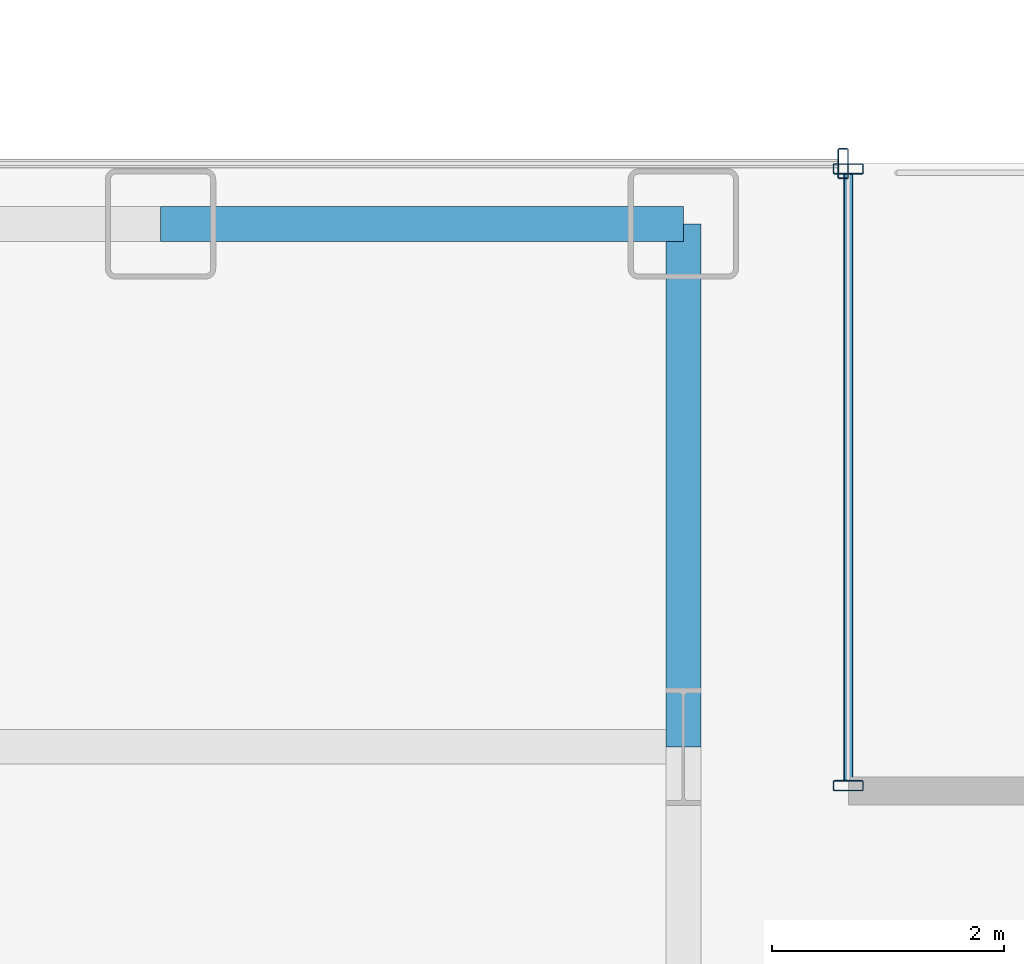
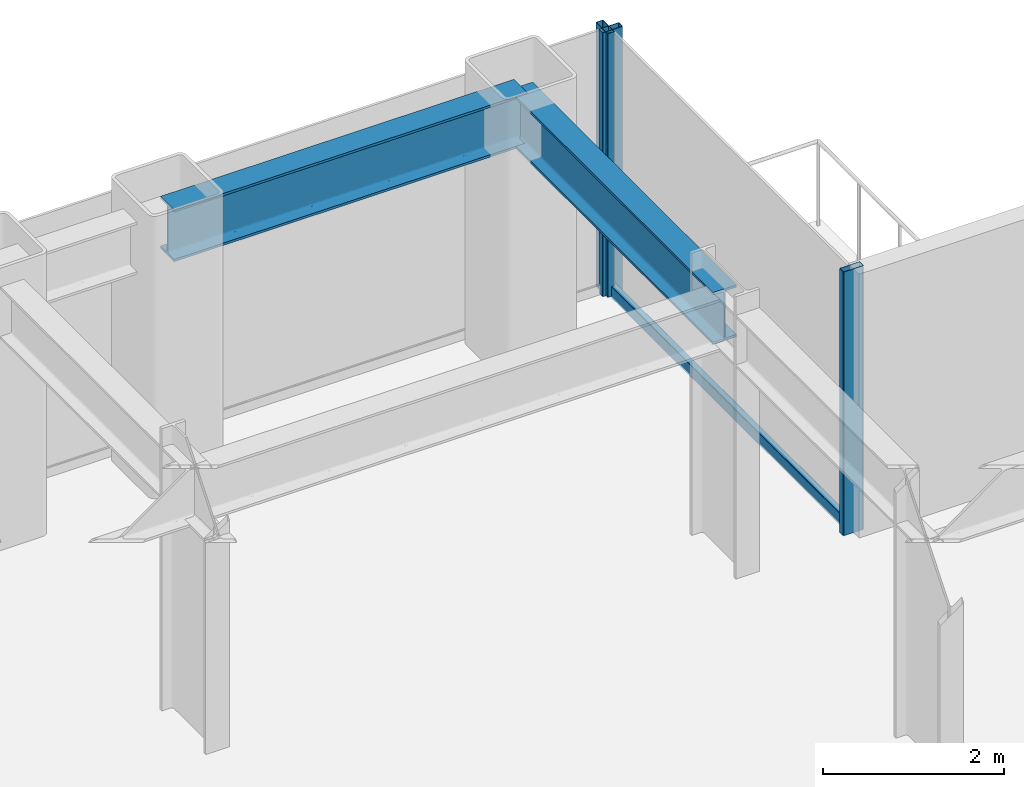
# One storey, part 14 of 26: 4 members, 2 beams, 2 elements without a shape of their own.
"""IFC4 building model written with IfcOpenShell, lengths in metres."""

import ifcopenshell
import ifcopenshell.guid

model = None  # the IFC model being written
_history = None  # IfcOwnerHistory: only IFC2X3 demands one
_inside = {}  # id of a spatial element -> (the spatial element, [elements in it])
_under = {}  # id of a project, library or spatial element -> (it, [spatial elements below it])
_declared = {}  # id of a project -> (the project, [libraries it declares])
_typed = {}  # id of a type object -> (the type object, [elements of that type])
_made_of = {}  # id of a material, layer set ... -> (it, [elements and type objects made of it])


def new_model(schema):
    """Start an empty IFC model of exactly this schema.

    Asked for "IFC4X3", IfcOpenShell would pick the latest addendum, in which some entities
    have other attributes; the version numbers below select the first issue.
    IFC2X3 requires an IfcOwnerHistory on every rooted entity: one is made here for all.
    """
    global model, _history
    if schema == "IFC4X3":
        model = ifcopenshell.file(schema_version=(4, 3, 0, 0))
    else:
        model = ifcopenshell.file(schema=schema)
    _inside.clear()
    _under.clear()
    _declared.clear()
    _typed.clear()
    _made_of.clear()
    _history = None
    if model.schema == "IFC2X3":
        org = make("IfcOrganization", Name="unknown")
        user = make(
            "IfcPersonAndOrganization",
            ThePerson=make("IfcPerson", FamilyName="unknown"),
            TheOrganization=org,
        )
        app = make(
            "IfcApplication",
            ApplicationDeveloper=org,
            Version="unknown",
            ApplicationFullName="unknown",
            ApplicationIdentifier="unknown",
        )
        _history = make(
            "IfcOwnerHistory",
            OwningUser=user,
            OwningApplication=app,
            ChangeAction="ADDED",
            CreationDate=0,
        )
    return model


def make(cls, **values):
    """One entity of the class cls with the attributes given. An attribute that is None is left unset."""
    return model.create_entity(
        cls, **{name: value for name, value in values.items() if value is not None}
    )


def rooted(cls, **values):
    """An entity with a GlobalId (a new one), such as an element, a storey or a relation."""
    return make(cls, GlobalId=ifcopenshell.guid.new(), OwnerHistory=_history, **values)


def si_unit(unit_type, name, prefix=None):
    """IfcSIUnit, for example si_unit("LENGTHUNIT", "METRE", prefix="MILLI")."""
    return make("IfcSIUnit", UnitType=unit_type, Prefix=prefix, Name=name)


def assignment(units):
    """IfcUnitAssignment: the units of a project."""
    return None if units is None else make("IfcUnitAssignment", Units=units)


def point(xyz):
    """IfcCartesianPoint."""
    return None if xyz is None else make("IfcCartesianPoint", Coordinates=xyz)


def direction(xyz):
    """IfcDirection."""
    return None if xyz is None else make("IfcDirection", DirectionRatios=xyz)


def frame(location, z_axis=None, x_axis=None):
    """IfcAxis2Placement3D, a coordinate frame: its origin and axes. An axis left out is left unset."""
    return make(
        "IfcAxis2Placement3D",
        Location=point(location),
        Axis=direction(z_axis),
        RefDirection=direction(x_axis),
    )


def frame_2d(location, x_axis=None):
    """IfcAxis2Placement2D, a coordinate frame in the plane: its origin and x axis."""
    return make(
        "IfcAxis2Placement2D", Location=point(location), RefDirection=direction(x_axis)
    )


def origin():
    """The frame at (0, 0, 0) with its axes left unset."""
    return frame((0.0, 0.0, 0.0))


def origin_2d():
    """The frame at (0, 0) in the plane with its x axis left unset."""
    return frame_2d((0.0, 0.0))


def place(relative_to, where):
    """IfcLocalPlacement: puts the frame where relative to a parent placement (None: the world)."""
    return make(
        "IfcLocalPlacement", PlacementRelTo=relative_to, RelativePlacement=where
    )


def context(
    kind, dimensions, precision=None, world=None, true_north=None, identifier=None
):
    """IfcGeometricRepresentationContext, for example the 3D "Model" context."""
    return make(
        "IfcGeometricRepresentationContext",
        ContextIdentifier=identifier,
        ContextType=kind,
        CoordinateSpaceDimension=dimensions,
        Precision=precision,
        WorldCoordinateSystem=world,
        TrueNorth=true_north,
    )


def subcontext(parent, identifier, kind, view, scale=None):
    """IfcGeometricRepresentationSubContext, for example "Body" below "Model"."""
    return make(
        "IfcGeometricRepresentationSubContext",
        ContextIdentifier=identifier,
        ContextType=kind,
        ParentContext=parent,
        TargetScale=scale,
        TargetView=view,
    )


def project(units=None, contexts=None):
    """IfcProject with its units and contexts."""
    return rooted(
        "IfcProject",
        Name="project",
        RepresentationContexts=contexts,
        UnitsInContext=assignment(units),
    )


def spatial(cls, under=None, at=None, **own):
    """A site, building, storey or space (cls), placed at a placement, below another one or the project."""
    s = rooted(cls, ObjectPlacement=at, **own)
    if under is not None:
        _under.setdefault(under.id(), (under, []))[1].append(s)
    return s


def profile(cls, at=None, kind="AREA", **sizes):
    """A parametric profile (cls). Its sizes go by their IFC names, for example OverallWidth=200.0."""
    return make(cls, ProfileType=kind, Position=at, **sizes)


def hollow_rectangle(**sizes):
    """IfcRectangleHollowProfileDef."""
    return profile("IfcRectangleHollowProfileDef", **sizes)


def i_section(**sizes):
    """IfcIShapeProfileDef."""
    return profile("IfcIShapeProfileDef", **sizes)


def extrude(swept, where, along, depth):
    """IfcExtrudedAreaSolid: the profile swept, set in the frame where, extruded along a direction by depth."""
    return make(
        "IfcExtrudedAreaSolid",
        SweptArea=swept,
        Position=where,
        ExtrudedDirection=direction(along),
        Depth=depth,
    )


def shape(context_of_items, identifier, shape_type, items):
    """IfcShapeRepresentation: the items that make up one representation, for example the "Body"."""
    return make(
        "IfcShapeRepresentation",
        ContextOfItems=context_of_items,
        RepresentationIdentifier=identifier,
        RepresentationType=shape_type,
        Items=items,
    )


def source(mapping_origin, context_of_items, identifier, shape_type, items):
    """IfcRepresentationMap: a shape defined once, which mapped items show again and again."""
    return make(
        "IfcRepresentationMap",
        MappingOrigin=mapping_origin,
        MappedRepresentation=shape(context_of_items, identifier, shape_type, items),
    )


def transform(
    local_origin,
    x_axis=None,
    y_axis=None,
    z_axis=None,
    scale=None,
    scale2=None,
    scale3=None,
    uniform=True,
):
    """IfcCartesianTransformationOperator3D, or its non-uniform kind. x_axis, y_axis, z_axis: its Axis1, 2, 3."""
    if uniform:
        return make(
            "IfcCartesianTransformationOperator3D",
            Axis1=direction(x_axis),
            Axis2=direction(y_axis),
            LocalOrigin=point(local_origin),
            Scale=scale,
            Axis3=direction(z_axis),
        )
    return make(
        "IfcCartesianTransformationOperator3DnonUniform",
        Axis1=direction(x_axis),
        Axis2=direction(y_axis),
        LocalOrigin=point(local_origin),
        Scale=scale,
        Axis3=direction(z_axis),
        Scale2=scale2,
        Scale3=scale3,
    )


def mapped(mapping_source, mapping_target):
    """IfcMappedItem: shows the shape of a source again, moved by a transform."""
    return make(
        "IfcMappedItem", MappingSource=mapping_source, MappingTarget=mapping_target
    )


def material(Name=None, Category=None):
    """IfcMaterial."""
    return make("IfcMaterial", Name=Name, Category=Category)


def layer(
    of_material, thickness, ventilated=None, Name=None, Category=None, Priority=None
):
    """IfcMaterialLayer: one layer of a wall or slab, of a material (None: an air gap)."""
    return make(
        "IfcMaterialLayer",
        Material=of_material,
        LayerThickness=thickness,
        IsVentilated=ventilated,
        Name=Name,
        Category=Category,
        Priority=Priority,
    )


def layer_set(layers, Name=None):
    """IfcMaterialLayerSet."""
    return make("IfcMaterialLayerSet", MaterialLayers=layers, LayerSetName=Name)


def material_profile(
    of_material, cross_section, Name=None, Category=None, Priority=None
):
    """IfcMaterialProfile: a cross section and its material."""
    return make(
        "IfcMaterialProfile",
        Name=Name,
        Material=of_material,
        Profile=cross_section,
        Priority=Priority,
        Category=Category,
    )


def profile_set(profiles, Name=None, composite=None):
    """IfcMaterialProfileSet."""
    return make(
        "IfcMaterialProfileSet",
        Name=Name,
        MaterialProfiles=profiles,
        CompositeProfile=composite,
    )


def made_of(thing, what):
    """Note that an element or type object is made of a material, layer set ...; save() writes the relation."""
    if what is not None:
        _made_of.setdefault(what.id(), (what, []))[1].append(thing)
    return thing


def type_object(cls, material=None, **own):
    """A type object (cls), such as IfcWallType, which elements share."""
    return made_of(rooted(cls, **own), material)


def element(
    cls,
    number,
    at=None,
    inside=None,
    cuts=None,
    type_object=None,
    material=None,
    context=None,
    identifier="Body",
    shape_type=None,
    held_by="IfcProductDefinitionShape",
    body=None,
    shapes=None,
    **own,
):
    """One element of the class cls, such as IfcWall. Its Tag is "e" and its number.

    at: its placement. inside: the storey or other place that contains it. cuts: it is an
    opening in that element (IfcRelVoidsElement). A single representation is given by context,
    identifier, shape_type and body (its items); several are given by shapes. held_by: the class
    of the entity that holds the representations. save() writes the other relations.
    """
    e = rooted(cls, Tag="e%d" % number, ObjectPlacement=at, **own)
    if body is not None:
        shapes = [shape(context, identifier, shape_type, body)]
    if shapes is not None:
        e.Representation = make(held_by, Representations=shapes)
    if inside is not None:
        _inside.setdefault(inside.id(), (inside, []))[1].append(e)
    if cuts is not None:
        rooted(
            "IfcRelVoidsElement", RelatingBuildingElement=cuts, RelatedOpeningElement=e
        )
    if type_object is not None:
        _typed.setdefault(type_object.id(), (type_object, []))[1].append(e)
    return made_of(e, material)


def aggregate(whole, parts):
    """IfcRelAggregates: a whole, such as a stair, and the parts it consists of."""
    return rooted("IfcRelAggregates", RelatingObject=whole, RelatedObjects=parts)


def save(model, path):
    """Write the relations noted so far, then the file.

    IfcRelAggregates (storeys below a building ...), IfcRelContainedInSpatialStructure (elements
    in a storey), IfcRelDefinesByType, IfcRelAssociatesMaterial and IfcRelDeclares: one each for
    every whole, place, type object, material and project.
    """
    for whole, parts in _under.values():
        aggregate(whole, parts)
    for where, things in _inside.values():
        rooted(
            "IfcRelContainedInSpatialStructure",
            RelatedElements=things,
            RelatingStructure=where,
        )
    for kind, things in _typed.values():
        rooted("IfcRelDefinesByType", RelatedObjects=things, RelatingType=kind)
    for what, things in _made_of.values():
        rooted("IfcRelAssociatesMaterial", RelatedObjects=things, RelatingMaterial=what)
    for by, libraries in _declared.values():
        rooted("IfcRelDeclares", RelatingContext=by, RelatedDefinitions=libraries)
    model.write(path)


model = new_model("IFC4")

# Units and contexts
model_context = context("Model", 3, precision=1e-05, world=origin(), true_north=direction((0.0, 1.0)))
body_context = subcontext(model_context, "Body", "Model", "MODEL_VIEW")
ifc_project = project(units=[si_unit("LENGTHUNIT", "METRE"), si_unit("AREAUNIT", "SQUARE_METRE"), si_unit("VOLUMEUNIT", "CUBIC_METRE"), si_unit("PLANEANGLEUNIT", "RADIAN"), si_unit("MASSUNIT", "GRAM", prefix="KILO")], contexts=[model_context])

# Site, building, storey
site_placement = place(None, origin())
site = spatial("IfcSite", under=ifc_project, at=site_placement, CompositionType="ELEMENT")
building_placement = place(site_placement, origin())
building = spatial("IfcBuilding", under=site, at=building_placement, Name="Nefas-Gora Pilgrimage Tower", CompositionType="ELEMENT")
storey_placement = place(building_placement, frame((0.0, 0.0, 106.0)))
storey = spatial("IfcBuildingStorey", under=building, at=storey_placement, Name="L25", CompositionType="ELEMENT", Elevation=106.0)

# Beams
ifc_material_1 = material(Name="Steel S355", Category="steel")
ifc_material_profile_1 = material_profile(ifc_material_1, i_section(OverallWidth=0.300048828125, OverallDepth=0.699951171875, WebThickness=0.01708984375, FlangeThickness=0.031982421875, FilletRadius=0.027099609375, at=origin_2d()), Name="HEB 700")
ifc_profile_set_1 = profile_set([ifc_material_profile_1], Name="Steel S355")
beam_type_1 = type_object("IfcBeamType", Name="BM-SPN-HEB600", PredefinedType="SPANDREL", material=ifc_profile_set_1)
shared_shape_1 = source(origin(), body_context, "Body", "SweptSolid", [
    extrude(i_section(OverallWidth=0.300048828125, OverallDepth=0.699951171875, WebThickness=0.01708984375, FlangeThickness=0.031982421875, FilletRadius=0.027099609375, at=origin_2d()), origin(), (0.0, 0.0, 1.0), 4.5),
])
beam_1_placement = place(storey_placement, frame((20.25, 22.5, 3.199951171875), z_axis=(1.0, 0.0, 0.0), x_axis=(0.0, 1.0, 0.0)))
element("IfcBeam", 1, at=beam_1_placement, inside=storey, type_object=beam_type_1, Name="L25 SP-01 beam", PredefinedType="SPANDREL", context=body_context, shape_type="MappedRepresentation", body=[
    mapped(shared_shape_1, transform((0.0, 0.0, 0.0), x_axis=(1.0, 0.0, 0.0), y_axis=(0.0, 1.0, 0.0), z_axis=(0.0, 0.0, 1.0), scale=1.0)),
])
ifc_material_profile_2 = material_profile(ifc_material_1, i_section(OverallWidth=0.300048828125, OverallDepth=0.699951171875, WebThickness=0.01708984375, FlangeThickness=0.031982421875, FilletRadius=0.027099609375, at=origin_2d()), Name="HEB 700")
ifc_profile_set_2 = profile_set([ifc_material_profile_2], Name="Steel S355")
beam_type_2 = type_object("IfcBeamType", Name="BM-GIR-HEB700", PredefinedType="BEAM", material=ifc_profile_set_2)
shared_shape_2 = source(origin(), body_context, "Body", "SweptSolid", [
    extrude(i_section(OverallWidth=0.300048828125, OverallDepth=0.699951171875, WebThickness=0.01708984375, FlangeThickness=0.031982421875, FilletRadius=0.027099609375, at=origin_2d()), origin(), (0.0, 0.0, 1.0), 4.5),
])
beam_2_placement = place(storey_placement, frame((24.75, 18.0, 3.199951171875), z_axis=(0.0, 1.0, 0.0), x_axis=(-1.0, 0.0, 0.0)))
element("IfcBeam", 2, at=beam_2_placement, inside=storey, type_object=beam_type_2, Name="L25 G-02 beam", PredefinedType="BEAM", context=body_context, shape_type="MappedRepresentation", body=[
    mapped(shared_shape_2, transform((0.0, 0.0, 0.0), x_axis=(1.0, 0.0, 0.0), y_axis=(0.0, 1.0, 0.0), z_axis=(0.0, 0.0, 1.0), scale=1.0)),
])

# Curtain wall, members
ifc_material_2 = material(Name="Dark ceramic-fritted solar-control aluminium-glass curtain wall", Category="aluminium")
ifc_layer = layer(ifc_material_2, 0.219970703125)
ifc_layer_set = layer_set([ifc_layer], Name="Dark ceramic-fritted solar-control aluminium-glass curtain wall")
curtain_wall_type = type_object("IfcCurtainWallType", Name="CW-SYS-2", PredefinedType="NOTDEFINED", material=ifc_layer_set)
curtain_wall_1_placement = place(storey_placement, origin())
curtain_wall_1 = element("IfcCurtainWall", 3, at=curtain_wall_1_placement, inside=storey, type_object=curtain_wall_type, Name="L25 Unitised Curtain Wall CW2", PredefinedType="NOTDEFINED")
ifc_material_3 = material(Name="Anodised architectural aluminium", Category="aluminium")
ifc_material_profile_3 = material_profile(ifc_material_3, hollow_rectangle(XDim=0.090087890625, YDim=0.260009765625, WallThickness=0.006103515625, InnerFilletRadius=0.006103515625, OuterFilletRadius=0.011962890625, at=origin_2d()), Name="ALU MULLION 90x260")
ifc_profile_set_3 = profile_set([ifc_material_profile_3], Name="Anodised architectural aluminium")
member_type_1 = type_object("IfcMemberType", Name="CWM-MUL-2", PredefinedType="MULLION", material=ifc_profile_set_3)
shared_shape_3 = source(origin(), body_context, "Body", "SweptSolid", [
    extrude(hollow_rectangle(XDim=0.090087890625, YDim=0.260009765625, WallThickness=0.006103515625, InnerFilletRadius=0.006103515625, OuterFilletRadius=0.011962890625, at=origin_2d()), origin(), (0.0, 0.0, 1.0), 3.550048828125),
])
member_1_placement = place(storey_placement, frame((26.169921875, 17.6650390625, 0.0), z_axis=(0.0, 0.0, 1.0), x_axis=(0.0, 1.0, 0.0)))
member_1 = element("IfcMember", 4, at=member_1_placement, type_object=member_type_1, Name="CW2 Mullion 1", PredefinedType="MULLION", context=body_context, shape_type="MappedRepresentation", body=[
    mapped(shared_shape_3, transform((0.0, 0.0, 0.0), x_axis=(1.0, 0.0, 0.0), y_axis=(0.0, 1.0, 0.0), z_axis=(0.0, 0.0, 1.0), scale=1.0)),
])
member_2_placement = place(storey_placement, frame((26.169921875, 22.97509765625, 0.0), z_axis=(0.0, 0.0, 1.0), x_axis=(0.0, 1.0, 0.0)))
member_2 = element("IfcMember", 5, at=member_2_placement, type_object=member_type_1, Name="CW2 Mullion 2", PredefinedType="MULLION", context=body_context, shape_type="MappedRepresentation", body=[
    mapped(shared_shape_3, transform((0.0, 0.0, 0.0), x_axis=(1.0, 0.0, 0.0), y_axis=(0.0, 1.0, 0.0), z_axis=(0.0, 0.0, 1.0), scale=1.0)),
])

# Curtain wall, member
curtain_wall_2_placement = place(storey_placement, origin())
curtain_wall_2 = element("IfcCurtainWall", 6, at=curtain_wall_2_placement, inside=storey, type_object=curtain_wall_type, Name="L25 Unitised Curtain Wall CW2", PredefinedType="NOTDEFINED")
member_3_placement = place(storey_placement, frame((26.125, 23.02001953125, 0.0), z_axis=(0.0, 0.0, 1.0), x_axis=(-1.0, 0.0, 0.0)))
member_3 = element("IfcMember", 7, at=member_3_placement, type_object=member_type_1, Name="CW2 Mullion 1", PredefinedType="MULLION", context=body_context, shape_type="MappedRepresentation", body=[
    mapped(shared_shape_3, transform((0.0, 0.0, 0.0), x_axis=(1.0, 0.0, 0.0), y_axis=(0.0, 1.0, 0.0), z_axis=(0.0, 0.0, 1.0), scale=1.0)),
])
aggregate(curtain_wall_2, [member_3])

# Member
ifc_material_profile_4 = material_profile(ifc_material_3, hollow_rectangle(XDim=0.080078125, YDim=0.159912109375, WallThickness=0.00439453125, InnerFilletRadius=0.00439453125, OuterFilletRadius=0.009033203125, at=origin_2d()), Name="ALU TRANSOM 80x160")
ifc_profile_set_4 = profile_set([ifc_material_profile_4], Name="Anodised architectural aluminium")
member_type_2 = type_object("IfcMemberType", Name="CWM-TRN-2", PredefinedType="USERDEFINED", material=ifc_profile_set_4)
shared_shape_4 = source(origin(), body_context, "Body", "SweptSolid", [
    extrude(hollow_rectangle(XDim=0.080078125, YDim=0.159912109375, WallThickness=0.00439453125, InnerFilletRadius=0.00439453125, OuterFilletRadius=0.009033203125, at=origin_2d()), origin(), (0.0, 0.0, 1.0), 5.219970703125),
])
member_4_placement = place(storey_placement, frame((26.169921875, 17.7099609375, 0.050048828125), z_axis=(0.0, 1.0, 0.0), x_axis=(-1.0, 0.0, 0.0)))
member_4 = element("IfcMember", 8, at=member_4_placement, type_object=member_type_2, Name="CW2 Spandrel Transom", ObjectType="TRANSOM", PredefinedType="USERDEFINED", context=body_context, shape_type="MappedRepresentation", body=[
    mapped(shared_shape_4, transform((0.0, 0.0, 0.0), x_axis=(1.0, 0.0, 0.0), y_axis=(0.0, 1.0, 0.0), z_axis=(0.0, 0.0, 1.0), scale=1.0)),
])

aggregate(curtain_wall_1, [member_1, member_2, member_4])

save(model, "model.ifc")
